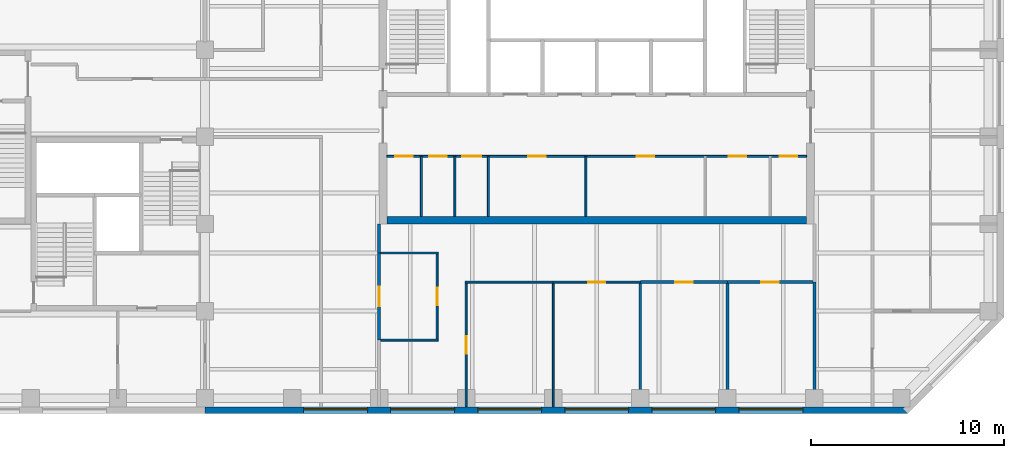
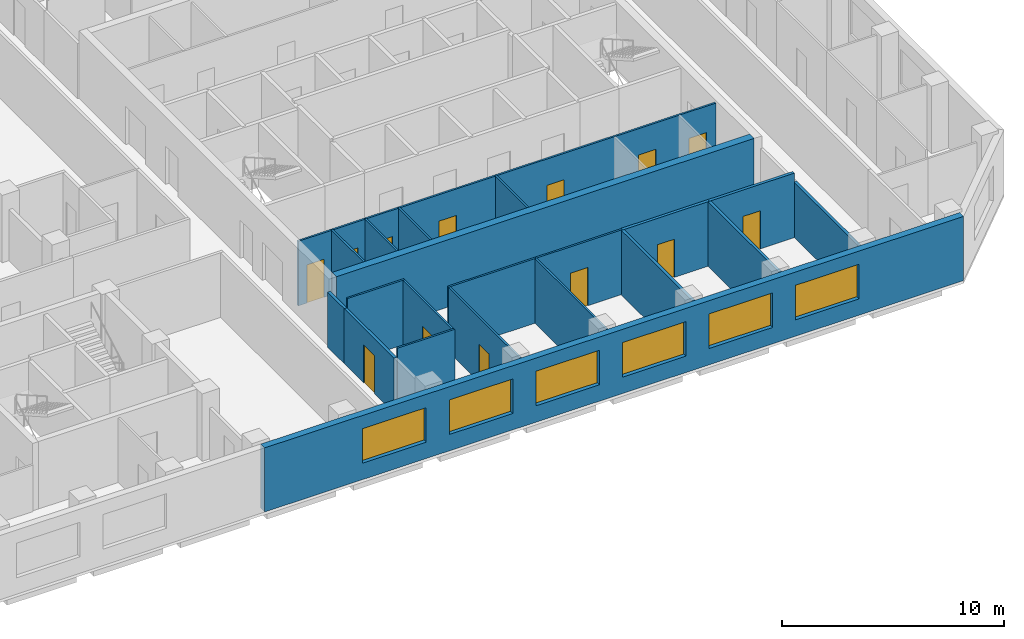
# One storey, part 4 of 9: 21 walls, 13 doors, 6 windows, 19 openings.
"""IFC4 building model written with IfcOpenShell, lengths in metres."""

from ifc_helpers import new_model, si_unit, direction, frame, frame_2d, origin, place, context, subcontext, project, spatial, rectangle, extrude, material, layer, layer_set, constituent, constituent_set, type_object, element, fill, save


model = new_model("IFC4")

# Units and contexts
model_context = context("Model", 3, precision=1e-05, world=origin(), true_north=direction((0.0, 1.0)))
body_context = subcontext(model_context, "Body", "Model", "MODEL_VIEW")
ifc_project = project(units=[si_unit("LENGTHUNIT", "METRE"), si_unit("AREAUNIT", "SQUARE_METRE"), si_unit("VOLUMEUNIT", "CUBIC_METRE"), si_unit("PLANEANGLEUNIT", "RADIAN"), si_unit("MASSUNIT", "GRAM", prefix="KILO")], contexts=[model_context])

# Site, building, storey
site_placement = place(None, origin())
site = spatial("IfcSite", under=ifc_project, at=site_placement, CompositionType="ELEMENT")
building_placement = place(site_placement, origin())
building = spatial("IfcBuilding", under=site, at=building_placement, Name="Quoin Convention Tower", CompositionType="ELEMENT")
storey_placement = place(building_placement, frame((0.0, 0.0, 147.699951171875)))
storey = spatial("IfcBuildingStorey", under=building, at=storey_placement, Name="L38", CompositionType="ELEMENT", Elevation=147.699951171875)

# Wall, opening, door
ifc_material_1 = material(Name="Plasterboard")
ifc_layer_1 = layer(ifc_material_1, 0.012451171875, Name="Finish")
ifc_material_2 = material(Name="Steel stud framing", Category="steel")
ifc_layer_2 = layer(ifc_material_2, 0.125, Name="Structure")
ifc_layer_3 = layer(ifc_material_1, 0.012451171875, Name="Finish")
ifc_layer_set_1 = layer_set([ifc_layer_1, ifc_layer_2, ifc_layer_3], Name="Steel stud framing")
wall_type_1 = type_object("IfcWallType", Name="Acoustic partition 150", PredefinedType="PARTITIONING", material=ifc_layer_set_1)
wall_1_placement = place(storey_placement, frame((58.5, 46.5, 0.0), z_axis=(0.0, 0.0, 1.0), x_axis=(1.0, 0.0, 0.0)))
wall_1 = element("IfcWall", 1, at=wall_1_placement, inside=storey, type_object=wall_type_1, Name="pw-L38-009", PredefinedType="PARTITIONING", context=body_context, shape_type="SweptSolid", body=[
    extrude(rectangle(XDim=4.5, YDim=0.14990234375, at=frame_2d((2.25, 0.0))), origin(), (0.0, 0.0, 1.0), 3.550048828125),
])
opening_1_placement = place(wall_1_placement, frame((1.800048828125, 0.0, 0.0)))
opening_1 = element("IfcOpeningElement", 2, at=opening_1_placement, cuts=wall_1, Name="Opening DOH1-03", PredefinedType="OPENING", context=body_context, shape_type="SweptSolid", body=[
    extrude(rectangle(XDim=0.89990234375, YDim=2.10009765625, at=frame_2d((0.449951171875, 1.050048828125))), frame((0.0, 0.0849609375, 0.0), z_axis=(0.0, -1.0, 0.0), x_axis=(1.0, 0.0, 0.0)), (0.0, 0.0, 1.0), 0.169921875),
])
ifc_material_3 = material(Name="Steel door leaf", Category="steel")
door_type_1 = type_object("IfcDoorType", Name="Office door 900 x 2100", OperationType="SINGLE_SWING_RIGHT", PredefinedType="DOOR", material=ifc_material_3)
door_1_placement = place(opening_1_placement, origin())
door_1 = element("IfcDoor", 3, at=door_1_placement, inside=storey, type_object=door_type_1, Name="dr-L38-20", OperationType="SINGLE_SWING_RIGHT", OverallHeight=2.10009765625, OverallWidth=0.89990234375, PredefinedType="DOOR", context=body_context, shape_type="SweptSolid", body=[
    extrude(rectangle(XDim=0.89990234375, YDim=2.10009765625, at=frame_2d((0.449951171875, 1.050048828125))), frame((0.0, 0.02490234375, 0.0), z_axis=(0.0, -1.0, 0.0), x_axis=(1.0, 0.0, 0.0)), (0.0, 0.0, 1.0), 0.050048828125),
])
fill(opening_1, door_1)

wall_2_placement = place(storey_placement, frame((63.0, 46.5, 0.0), z_axis=(0.0, 0.0, 1.0), x_axis=(1.0, 0.0, 0.0)))
wall_2 = element("IfcWall", 4, at=wall_2_placement, inside=storey, type_object=wall_type_1, Name="pw-L38-010", PredefinedType="PARTITIONING", context=body_context, shape_type="SweptSolid", body=[
    extrude(rectangle(XDim=4.425048828125, YDim=0.14990234375, at=frame_2d((2.21240234375, 0.0))), origin(), (0.0, 0.0, 1.0), 3.550048828125),
])
opening_2_placement = place(wall_2_placement, frame((1.75, 0.0, 0.0)))
opening_2 = element("IfcOpeningElement", 5, at=opening_2_placement, cuts=wall_2, Name="Opening DOH1-04", PredefinedType="OPENING", context=body_context, shape_type="SweptSolid", body=[
    extrude(rectangle(XDim=0.89990234375, YDim=2.10009765625, at=frame_2d((0.449951171875, 1.050048828125))), frame((0.0, 0.0849609375, 0.0), z_axis=(0.0, -1.0, 0.0), x_axis=(1.0, 0.0, 0.0)), (0.0, 0.0, 1.0), 0.169921875),
])
door_2_placement = place(opening_2_placement, origin())
door_2 = element("IfcDoor", 6, at=door_2_placement, inside=storey, type_object=door_type_1, Name="dr-L38-21", OperationType="SINGLE_SWING_RIGHT", OverallHeight=2.10009765625, OverallWidth=0.89990234375, PredefinedType="DOOR", context=body_context, shape_type="SweptSolid", body=[
    extrude(rectangle(XDim=0.89990234375, YDim=2.10009765625, at=frame_2d((0.449951171875, 1.050048828125))), frame((0.0, 0.02490234375, 0.0), z_axis=(0.0, -1.0, 0.0), x_axis=(1.0, 0.0, 0.0)), (0.0, 0.0, 1.0), 0.050048828125),
])
fill(opening_2, door_2)

# Walls
for number, where, z_axis, x_axis, name in (
    (7, (58.5, 40.050048828125, 0.0), (0.0, 0.0, 1.0), (0.0, 1.0, 0.0), "pw-L38-044"),
    (8, (63.0, 40.050048828125, 0.0), (0.0, 0.0, 1.0), (0.0, 1.0, 0.0), "pw-L38-045"),
):
    element("IfcWall", number, at=place(storey_placement, frame(where, z_axis=z_axis, x_axis=x_axis)), inside=storey, type_object=wall_type_1, Name=name, PredefinedType="PARTITIONING", context=body_context, shape_type="SweptSolid", body=[
        extrude(rectangle(XDim=6.375, YDim=0.14990234375, at=frame_2d((3.1875, 0.0))), origin(), (0.0, 0.0, 1.0), 3.550048828125),
    ])

# Wall, openings, windows
ifc_material_4 = material(Name="Brick masonry", Category="masonry")
ifc_layer_4 = layer(ifc_material_4, 0.35009765625)
ifc_layer_set_2 = layer_set([ifc_layer_4], Name="Brick masonry")
wall_type_2 = type_object("IfcWallType", Name="Brick facade wall", PredefinedType="STANDARD", material=ifc_layer_set_2)
wall_3_placement = place(storey_placement, frame((36.0, 39.875, 0.0), z_axis=(0.0, 0.0, 1.0), x_axis=(1.0, 0.0, 0.0)))
wall_3 = element("IfcWall", 9, at=wall_3_placement, inside=storey, type_object=wall_type_2, Name="fw-L38-36000_40500", PredefinedType="STANDARD", context=body_context, shape_type="SweptSolid", body=[
    extrude(rectangle(XDim=36.331298828125, YDim=0.35009765625, at=frame_2d((18.16552734375, 0.0))), origin(), (0.0, 0.0, 1.0), 3.525146484375),
])
opening_3_placement = place(wall_3_placement, frame((5.10009765625, 0.0, 0.89990234375)))
opening_3 = element("IfcOpeningElement", 10, at=opening_3_placement, cuts=wall_3, Name="Opening W-02", PredefinedType="OPENING", context=body_context, shape_type="SweptSolid", body=[
    extrude(rectangle(XDim=3.300048828125, YDim=1.89990234375, at=frame_2d((1.64990234375, 0.949951171875))), frame((0.0, 0.18505859375, 0.0), z_axis=(0.0, -1.0, 0.0), x_axis=(1.0, 0.0, 0.0)), (0.0, 0.0, 1.0), 0.3701171875),
])
opening_4_placement = place(wall_3_placement, frame((9.60009765625, 0.0, 0.89990234375)))
opening_4 = element("IfcOpeningElement", 11, at=opening_4_placement, cuts=wall_3, Name="Opening W-02", PredefinedType="OPENING", context=body_context, shape_type="SweptSolid", body=[
    extrude(rectangle(XDim=3.300048828125, YDim=1.89990234375, at=frame_2d((1.64990234375, 0.949951171875))), frame((0.0, 0.18505859375, 0.0), z_axis=(0.0, -1.0, 0.0), x_axis=(1.0, 0.0, 0.0)), (0.0, 0.0, 1.0), 0.3701171875),
])
opening_5_placement = place(wall_3_placement, frame((14.10009765625, 0.0, 0.89990234375)))
opening_5 = element("IfcOpeningElement", 12, at=opening_5_placement, cuts=wall_3, Name="Opening W-02", PredefinedType="OPENING", context=body_context, shape_type="SweptSolid", body=[
    extrude(rectangle(XDim=3.300048828125, YDim=1.89990234375, at=frame_2d((1.64990234375, 0.949951171875))), frame((0.0, 0.18505859375, 0.0), z_axis=(0.0, -1.0, 0.0), x_axis=(1.0, 0.0, 0.0)), (0.0, 0.0, 1.0), 0.3701171875),
])
opening_6_placement = place(wall_3_placement, frame((18.60009765625, 0.0, 0.89990234375)))
opening_6 = element("IfcOpeningElement", 13, at=opening_6_placement, cuts=wall_3, Name="Opening W-02", PredefinedType="OPENING", context=body_context, shape_type="SweptSolid", body=[
    extrude(rectangle(XDim=3.300048828125, YDim=1.89990234375, at=frame_2d((1.64990234375, 0.949951171875))), frame((0.0, 0.18505859375, 0.0), z_axis=(0.0, -1.0, 0.0), x_axis=(1.0, 0.0, 0.0)), (0.0, 0.0, 1.0), 0.3701171875),
])
opening_7_placement = place(wall_3_placement, frame((23.10009765625, 0.0, 0.89990234375)))
opening_7 = element("IfcOpeningElement", 14, at=opening_7_placement, cuts=wall_3, Name="Opening W-02", PredefinedType="OPENING", context=body_context, shape_type="SweptSolid", body=[
    extrude(rectangle(XDim=3.300048828125, YDim=1.89990234375, at=frame_2d((1.64990234375, 0.949951171875))), frame((0.0, 0.18505859375, 0.0), z_axis=(0.0, -1.0, 0.0), x_axis=(1.0, 0.0, 0.0)), (0.0, 0.0, 1.0), 0.3701171875),
])
opening_8_placement = place(wall_3_placement, frame((27.60009765625, 0.0, 0.89990234375)))
opening_8 = element("IfcOpeningElement", 15, at=opening_8_placement, cuts=wall_3, Name="Opening W-02", PredefinedType="OPENING", context=body_context, shape_type="SweptSolid", body=[
    extrude(rectangle(XDim=3.300048828125, YDim=1.89990234375, at=frame_2d((1.64990234375, 0.949951171875))), frame((0.0, 0.18505859375, 0.0), z_axis=(0.0, -1.0, 0.0), x_axis=(1.0, 0.0, 0.0)), (0.0, 0.0, 1.0), 0.3701171875),
])
ifc_material_5 = material(Name="Aluminium", Category="aluminium")
ifc_constituent_1 = constituent(ifc_material_5, Name="Frame")
ifc_material_6 = material(Name="Insulated glass", Category="glass")
ifc_constituent_2 = constituent(ifc_material_6, Name="Glazing")
ifc_constituent_set = constituent_set(constituents=[ifc_constituent_1, ifc_constituent_2], Name="Aluminium")
window_type = type_object("IfcWindowType", Name="Office window", PartitioningType="DOUBLE_PANEL_VERTICAL", PredefinedType="WINDOW", material=ifc_constituent_set)
window_1_placement = place(opening_3_placement, origin())
window_1 = element("IfcWindow", 16, at=window_1_placement, inside=storey, type_object=window_type, Name="win-L38-42750_39875", OverallHeight=1.89990234375, OverallWidth=3.300048828125, PartitioningType="SINGLE_PANEL", PredefinedType="WINDOW", context=body_context, shape_type="SweptSolid", body=[
    extrude(rectangle(XDim=3.300048828125, YDim=1.89990234375, at=frame_2d((1.64990234375, 0.949951171875))), frame((0.0, 0.0849609375, 0.0), z_axis=(0.0, -1.0, 0.0), x_axis=(1.0, 0.0, 0.0)), (0.0, 0.0, 1.0), 0.06005859375),
])
fill(opening_3, window_1)
window_2_placement = place(opening_4_placement, origin())
window_2 = element("IfcWindow", 17, at=window_2_placement, inside=storey, type_object=window_type, Name="win-L38-47250_39875", OverallHeight=1.89990234375, OverallWidth=3.300048828125, PartitioningType="SINGLE_PANEL", PredefinedType="WINDOW", context=body_context, shape_type="SweptSolid", body=[
    extrude(rectangle(XDim=3.300048828125, YDim=1.89990234375, at=frame_2d((1.64990234375, 0.949951171875))), frame((0.0, 0.0849609375, 0.0), z_axis=(0.0, -1.0, 0.0), x_axis=(1.0, 0.0, 0.0)), (0.0, 0.0, 1.0), 0.06005859375),
])
fill(opening_4, window_2)
window_3_placement = place(opening_5_placement, origin())
window_3 = element("IfcWindow", 18, at=window_3_placement, inside=storey, type_object=window_type, Name="win-L38-51750_39875", OverallHeight=1.89990234375, OverallWidth=3.300048828125, PartitioningType="SINGLE_PANEL", PredefinedType="WINDOW", context=body_context, shape_type="SweptSolid", body=[
    extrude(rectangle(XDim=3.300048828125, YDim=1.89990234375, at=frame_2d((1.64990234375, 0.949951171875))), frame((0.0, 0.0849609375, 0.0), z_axis=(0.0, -1.0, 0.0), x_axis=(1.0, 0.0, 0.0)), (0.0, 0.0, 1.0), 0.06005859375),
])
fill(opening_5, window_3)
window_4_placement = place(opening_6_placement, origin())
window_4 = element("IfcWindow", 19, at=window_4_placement, inside=storey, type_object=window_type, Name="win-L38-56250_39875", OverallHeight=1.89990234375, OverallWidth=3.300048828125, PartitioningType="SINGLE_PANEL", PredefinedType="WINDOW", context=body_context, shape_type="SweptSolid", body=[
    extrude(rectangle(XDim=3.300048828125, YDim=1.89990234375, at=frame_2d((1.64990234375, 0.949951171875))), frame((0.0, 0.0849609375, 0.0), z_axis=(0.0, -1.0, 0.0), x_axis=(1.0, 0.0, 0.0)), (0.0, 0.0, 1.0), 0.06005859375),
])
fill(opening_6, window_4)
window_5_placement = place(opening_7_placement, origin())
window_5 = element("IfcWindow", 20, at=window_5_placement, inside=storey, type_object=window_type, Name="win-L38-60750_39875", OverallHeight=1.89990234375, OverallWidth=3.300048828125, PartitioningType="SINGLE_PANEL", PredefinedType="WINDOW", context=body_context, shape_type="SweptSolid", body=[
    extrude(rectangle(XDim=3.300048828125, YDim=1.89990234375, at=frame_2d((1.64990234375, 0.949951171875))), frame((0.0, 0.0849609375, 0.0), z_axis=(0.0, -1.0, 0.0), x_axis=(1.0, 0.0, 0.0)), (0.0, 0.0, 1.0), 0.06005859375),
])
fill(opening_7, window_5)
window_6_placement = place(opening_8_placement, origin())
window_6 = element("IfcWindow", 21, at=window_6_placement, inside=storey, type_object=window_type, Name="win-L38-65250_39875", OverallHeight=1.89990234375, OverallWidth=3.300048828125, PartitioningType="SINGLE_PANEL", PredefinedType="WINDOW", context=body_context, shape_type="SweptSolid", body=[
    extrude(rectangle(XDim=3.300048828125, YDim=1.89990234375, at=frame_2d((1.64990234375, 0.949951171875))), frame((0.0, 0.0849609375, 0.0), z_axis=(0.0, -1.0, 0.0), x_axis=(1.0, 0.0, 0.0)), (0.0, 0.0, 1.0), 0.06005859375),
])
fill(opening_8, window_6)

# Wall, openings, doors
ifc_layer_5 = layer(ifc_material_1, 0.012451171875, Name="Finish")
ifc_layer_6 = layer(ifc_material_2, 0.074951171875, Name="Structure")
ifc_layer_7 = layer(ifc_material_1, 0.012451171875, Name="Finish")
ifc_layer_set_3 = layer_set([ifc_layer_5, ifc_layer_6, ifc_layer_7], Name="Steel stud framing")
wall_type_3 = type_object("IfcWallType", Name="Core partition wall", PredefinedType="PARTITIONING", material=ifc_layer_set_3)
wall_4_placement = place(storey_placement, frame((45.39990234375, 53.0, 0.0), z_axis=(0.0, 0.0, 1.0), x_axis=(1.0, 0.0, 0.0)))
wall_4 = element("IfcWall", 22, at=wall_4_placement, inside=storey, type_object=wall_type_3, Name="cr-C1-L38-h3500_400", PredefinedType="PARTITIONING", context=body_context, shape_type="SweptSolid", body=[
    extrude(rectangle(XDim=21.7001953125, YDim=0.10009765625, at=frame_2d((10.85009765625, 0.0))), origin(), (0.0, 0.0, 1.0), 3.550048828125),
])
opening_9_placement = place(wall_4_placement, frame((20.304931640625, 0.0, 0.0)))
opening_9 = element("IfcOpeningElement", 23, at=opening_9_placement, cuts=wall_4, Name="Opening DCV1-36", PredefinedType="OPENING", context=body_context, shape_type="SweptSolid", body=[
    extrude(rectangle(XDim=0.89990234375, YDim=2.10009765625, at=frame_2d((0.449951171875, 1.050048828125))), frame((0.0, 0.06005859375, 0.0), z_axis=(0.0, -1.0, 0.0), x_axis=(1.0, 0.0, 0.0)), (0.0, 0.0, 1.0), 0.1201171875),
])
opening_10_placement = place(wall_4_placement, frame((17.679931640625, 0.0, 0.0)))
opening_10 = element("IfcOpeningElement", 24, at=opening_10_placement, cuts=wall_4, Name="Opening DCV1-35", PredefinedType="OPENING", context=body_context, shape_type="SweptSolid", body=[
    extrude(rectangle(XDim=0.89990234375, YDim=2.10009765625, at=frame_2d((0.449951171875, 1.050048828125))), frame((0.0, 0.06005859375, 0.0), z_axis=(0.0, -1.0, 0.0), x_axis=(1.0, 0.0, 0.0)), (0.0, 0.0, 1.0), 0.1201171875),
])
opening_11_placement = place(wall_4_placement, frame((0.4423828125, 0.0, 0.0)))
opening_11 = element("IfcOpeningElement", 25, at=opening_11_placement, cuts=wall_4, Name="Opening DCV1-27", PredefinedType="OPENING", context=body_context, shape_type="SweptSolid", body=[
    extrude(rectangle(XDim=0.89990234375, YDim=2.10009765625, at=frame_2d((0.449951171875, 1.050048828125))), frame((0.0, 0.06005859375, 0.0), z_axis=(0.0, -1.0, 0.0), x_axis=(1.0, 0.0, 0.0)), (0.0, 0.0, 1.0), 0.1201171875),
])
opening_12_placement = place(wall_4_placement, frame((2.201416015625, 0.0, 0.0)))
opening_12 = element("IfcOpeningElement", 26, at=opening_12_placement, cuts=wall_4, Name="Opening DCV1-28", PredefinedType="OPENING", context=body_context, shape_type="SweptSolid", body=[
    extrude(rectangle(XDim=0.89990234375, YDim=2.10009765625, at=frame_2d((0.449951171875, 1.050048828125))), frame((0.0, 0.06005859375, 0.0), z_axis=(0.0, -1.0, 0.0), x_axis=(1.0, 0.0, 0.0)), (0.0, 0.0, 1.0), 0.1201171875),
])
opening_13_placement = place(wall_4_placement, frame((3.8837890625, 0.0, 0.0)))
opening_13 = element("IfcOpeningElement", 27, at=opening_13_placement, cuts=wall_4, Name="Opening DCV1-29", PredefinedType="OPENING", context=body_context, shape_type="SweptSolid", body=[
    extrude(rectangle(XDim=1.0, YDim=2.10009765625, at=frame_2d((0.5, 1.050048828125))), frame((0.0, 0.06005859375, 0.0), z_axis=(0.0, -1.0, 0.0), x_axis=(1.0, 0.0, 0.0)), (0.0, 0.0, 1.0), 0.1201171875),
])
opening_14_placement = place(wall_4_placement, frame((7.320068359375, 0.0, 0.0)))
opening_14 = element("IfcOpeningElement", 28, at=opening_14_placement, cuts=wall_4, Name="Opening DCV1-31", PredefinedType="OPENING", context=body_context, shape_type="SweptSolid", body=[
    extrude(rectangle(XDim=0.89990234375, YDim=2.10009765625, at=frame_2d((0.449951171875, 1.050048828125))), frame((0.0, 0.06005859375, 0.0), z_axis=(0.0, -1.0, 0.0), x_axis=(1.0, 0.0, 0.0)), (0.0, 0.0, 1.0), 0.1201171875),
])
opening_15_placement = place(wall_4_placement, frame((12.919921875, 0.0, 0.0)))
opening_15 = element("IfcOpeningElement", 29, at=opening_15_placement, cuts=wall_4, Name="Opening DCV1-33", PredefinedType="OPENING", context=body_context, shape_type="SweptSolid", body=[
    extrude(rectangle(XDim=0.89990234375, YDim=2.10009765625, at=frame_2d((0.449951171875, 1.050048828125))), frame((0.0, 0.06005859375, 0.0), z_axis=(0.0, -1.0, 0.0), x_axis=(1.0, 0.0, 0.0)), (0.0, 0.0, 1.0), 0.1201171875),
])
door_type_2 = type_object("IfcDoorType", Name="Core room door 1000 x 2100", OperationType="SINGLE_SWING_LEFT", PredefinedType="DOOR", material=ifc_material_3)
door_3_placement = place(opening_13_placement, frame((1.0, 0.0, 0.0), z_axis=(0.0, 0.0, 1.0), x_axis=(-1.0, 0.0, 0.0)))
door_3 = element("IfcDoor", 30, at=door_3_placement, inside=storey, type_object=door_type_2, Name="cd-C1-L38-CSW2-lobA-CD3814", OperationType="SINGLE_SWING_LEFT", OverallHeight=2.10009765625, OverallWidth=1.0, PredefinedType="DOOR", context=body_context, shape_type="SweptSolid", body=[
    extrude(rectangle(XDim=1.0, YDim=2.10009765625, at=frame_2d((0.5, 1.050048828125))), frame((0.0, 0.02490234375, 0.0), z_axis=(0.0, -1.0, 0.0), x_axis=(1.0, 0.0, 0.0)), (0.0, 0.0, 1.0), 0.050048828125),
])
fill(opening_13, door_3)
door_type_3 = type_object("IfcDoorType", Name="Core room door 900 x 2100", OperationType="SINGLE_SWING_LEFT", PredefinedType="DOOR", material=ifc_material_3)
door_4_placement = place(opening_9_placement, frame((0.89990234375, 0.0, 0.0), z_axis=(0.0, 0.0, 1.0), x_axis=(-1.0, 0.0, 0.0)))
door_4 = element("IfcDoor", 31, at=door_4_placement, inside=storey, type_object=door_type_3, Name="cd-C1-L38-CSE0-lobA-CD3810", OperationType="SINGLE_SWING_LEFT", OverallHeight=2.10009765625, OverallWidth=0.89990234375, PredefinedType="DOOR", context=body_context, shape_type="SweptSolid", body=[
    extrude(rectangle(XDim=0.89990234375, YDim=2.10009765625, at=frame_2d((0.449951171875, 1.050048828125))), frame((0.0, 0.02490234375, 0.0), z_axis=(0.0, -1.0, 0.0), x_axis=(1.0, 0.0, 0.0)), (0.0, 0.0, 1.0), 0.050048828125),
])
fill(opening_9, door_4)
door_5_placement = place(opening_10_placement, frame((0.89990234375, 0.0, 0.0), z_axis=(0.0, 0.0, 1.0), x_axis=(-1.0, 0.0, 0.0)))
door_5 = element("IfcDoor", 32, at=door_5_placement, inside=storey, type_object=door_type_3, Name="cd-C1-L38-CSE1-lobA-CD3811", OperationType="SINGLE_SWING_LEFT", OverallHeight=2.10009765625, OverallWidth=0.89990234375, PredefinedType="DOOR", context=body_context, shape_type="SweptSolid", body=[
    extrude(rectangle(XDim=0.89990234375, YDim=2.10009765625, at=frame_2d((0.449951171875, 1.050048828125))), frame((0.0, 0.02490234375, 0.0), z_axis=(0.0, -1.0, 0.0), x_axis=(1.0, 0.0, 0.0)), (0.0, 0.0, 1.0), 0.050048828125),
])
fill(opening_10, door_5)
door_6_placement = place(opening_11_placement, frame((0.89990234375, 0.0, 0.0), z_axis=(0.0, 0.0, 1.0), x_axis=(-1.0, 0.0, 0.0)))
door_6 = element("IfcDoor", 33, at=door_6_placement, inside=storey, type_object=door_type_3, Name="cd-C1-L38-CSW0-lobA-CD3812", OperationType="SINGLE_SWING_LEFT", OverallHeight=2.10009765625, OverallWidth=0.89990234375, PredefinedType="DOOR", context=body_context, shape_type="SweptSolid", body=[
    extrude(rectangle(XDim=0.89990234375, YDim=2.10009765625, at=frame_2d((0.449951171875, 1.050048828125))), frame((0.0, 0.02490234375, 0.0), z_axis=(0.0, -1.0, 0.0), x_axis=(1.0, 0.0, 0.0)), (0.0, 0.0, 1.0), 0.050048828125),
])
fill(opening_11, door_6)
door_7_placement = place(opening_12_placement, frame((0.89990234375, 0.0, 0.0), z_axis=(0.0, 0.0, 1.0), x_axis=(-1.0, 0.0, 0.0)))
door_7 = element("IfcDoor", 34, at=door_7_placement, inside=storey, type_object=door_type_3, Name="cd-C1-L38-CSW1-lobA-CD3813", OperationType="SINGLE_SWING_LEFT", OverallHeight=2.10009765625, OverallWidth=0.89990234375, PredefinedType="DOOR", context=body_context, shape_type="SweptSolid", body=[
    extrude(rectangle(XDim=0.89990234375, YDim=2.10009765625, at=frame_2d((0.449951171875, 1.050048828125))), frame((0.0, 0.02490234375, 0.0), z_axis=(0.0, -1.0, 0.0), x_axis=(1.0, 0.0, 0.0)), (0.0, 0.0, 1.0), 0.050048828125),
])
fill(opening_12, door_7)
door_8_placement = place(opening_14_placement, frame((0.89990234375, 0.0, 0.0), z_axis=(0.0, 0.0, 1.0), x_axis=(-1.0, 0.0, 0.0)))
door_8 = element("IfcDoor", 35, at=door_8_placement, inside=storey, type_object=door_type_3, Name="cd-C1-L38-F10-lobA-CD3815", OperationType="SINGLE_SWING_LEFT", OverallHeight=2.10009765625, OverallWidth=0.89990234375, PredefinedType="DOOR", context=body_context, shape_type="SweptSolid", body=[
    extrude(rectangle(XDim=0.89990234375, YDim=2.10009765625, at=frame_2d((0.449951171875, 1.050048828125))), frame((0.0, 0.02490234375, 0.0), z_axis=(0.0, -1.0, 0.0), x_axis=(1.0, 0.0, 0.0)), (0.0, 0.0, 1.0), 0.050048828125),
])
fill(opening_14, door_8)
door_9_placement = place(opening_15_placement, frame((0.89990234375, 0.0, 0.0), z_axis=(0.0, 0.0, 1.0), x_axis=(-1.0, 0.0, 0.0)))
door_9 = element("IfcDoor", 36, at=door_9_placement, inside=storey, type_object=door_type_3, Name="cd-C1-L38-F11-lobA-CD3816", OperationType="SINGLE_SWING_LEFT", OverallHeight=2.10009765625, OverallWidth=0.89990234375, PredefinedType="DOOR", context=body_context, shape_type="SweptSolid", body=[
    extrude(rectangle(XDim=0.89990234375, YDim=2.10009765625, at=frame_2d((0.449951171875, 1.050048828125))), frame((0.0, 0.02490234375, 0.0), z_axis=(0.0, -1.0, 0.0), x_axis=(1.0, 0.0, 0.0)), (0.0, 0.0, 1.0), 0.050048828125),
])
fill(opening_15, door_9)

# Walls
for number, where, z_axis, x_axis, name in (
    (37, (47.18505859375, 49.89990234375, 0.0), (0.0, 0.0, 1.0), (0.0, 1.0, 0.0), "cr-C1-L38-v2185_400"),
    (38, (48.91748046875, 49.89990234375, 0.0), (0.0, 0.0, 1.0), (0.0, 1.0, 0.0), "cr-C1-L38-v3918_400"),
    (39, (50.64990234375, 49.89990234375, 0.0), (0.0, 0.0, 1.0), (0.0, 1.0, 0.0), "cr-C1-L38-v5650_400"),
    (40, (55.68994140625, 49.89990234375, 0.0), (0.0, 0.0, 1.0), (0.0, 1.0, 0.0), "cr-C1-L38-v10690_400"),
):
    element("IfcWall", number, at=place(storey_placement, frame(where, z_axis=z_axis, x_axis=x_axis)), inside=storey, type_object=wall_type_3, Name=name, PredefinedType="PARTITIONING", context=body_context, shape_type="SweptSolid", body=[
        extrude(rectangle(XDim=3.10009765625, YDim=0.10009765625, at=frame_2d((1.550048828125, 0.0))), origin(), (0.0, 0.0, 1.0), 3.550048828125),
    ])
ifc_layer_8 = layer(ifc_material_1, 0.012451171875, Name="Finish")
ifc_layer_9 = layer(ifc_material_2, 0.125, Name="Structure")
ifc_layer_10 = layer(ifc_material_1, 0.012451171875, Name="Finish")
ifc_layer_set_4 = layer_set([ifc_layer_8, ifc_layer_9, ifc_layer_10], Name="Steel stud framing")
wall_type_4 = type_object("IfcWallType", Name="Corridor wall 150 under beam 528", PredefinedType="PARTITIONING", material=ifc_layer_set_4)
wall_5_placement = place(storey_placement, frame((67.5, 40.050048828125, 0.0), z_axis=(0.0, 0.0, 1.0), x_axis=(0.0, 1.0, 0.0)))
element("IfcWall", 41, at=wall_5_placement, inside=storey, type_object=wall_type_4, Name="pw-L38-046", PredefinedType="PARTITIONING", context=body_context, shape_type="SweptSolid", body=[
    extrude(rectangle(XDim=6.449951171875, YDim=0.14990234375, at=frame_2d((3.22509765625, 0.0))), origin(), (0.0, 0.0, 1.0), 3.02197265625),
])

# Wall, opening, door
wall_6_placement = place(storey_placement, frame((45.0, 43.5, 0.0), z_axis=(0.0, 0.0, 1.0), x_axis=(0.0, 1.0, 0.0)))
wall_6 = element("IfcWall", 42, at=wall_6_placement, inside=storey, type_object=wall_type_4, Name="pw-L38-049", PredefinedType="PARTITIONING", context=body_context, shape_type="SweptSolid", body=[
    extrude(rectangle(XDim=4.5, YDim=0.14990234375, at=frame_2d((2.25, 0.0))), origin(), (0.0, 0.0, 1.0), 3.02197265625),
])
opening_16_placement = place(wall_6_placement, frame((1.75, 0.0, 0.0)))
opening_16 = element("IfcOpeningElement", 43, at=opening_16_placement, cuts=wall_6, Name="Opening DOH1-15", PredefinedType="OPENING", context=body_context, shape_type="SweptSolid", body=[
    extrude(rectangle(XDim=1.0, YDim=2.10009765625, at=frame_2d((0.5, 1.050048828125))), frame((0.0, 0.0849609375, 0.0), z_axis=(0.0, -1.0, 0.0), x_axis=(1.0, 0.0, 0.0)), (0.0, 0.0, 1.0), 0.169921875),
])
door_type_4 = type_object("IfcDoorType", Name="Tenancy entrance door 1000 x 2100", OperationType="DOUBLE_DOOR_SINGLE_SWING", PredefinedType="DOOR", material=ifc_material_3)
door_10_placement = place(opening_16_placement, frame((1.0, 0.0, 0.0), z_axis=(0.0, 0.0, 1.0), x_axis=(-1.0, 0.0, 0.0)))
door_10 = element("IfcDoor", 44, at=door_10_placement, inside=storey, type_object=door_type_4, Name="dr-L38-16", OperationType="DOUBLE_DOOR_SINGLE_SWING", OverallHeight=2.10009765625, OverallWidth=1.0, PredefinedType="DOOR", context=body_context, shape_type="SweptSolid", body=[
    extrude(rectangle(XDim=1.0, YDim=2.10009765625, at=frame_2d((0.5, 1.050048828125))), frame((0.0, 0.02490234375, 0.0), z_axis=(0.0, -1.0, 0.0), x_axis=(1.0, 0.0, 0.0)), (0.0, 0.0, 1.0), 0.050048828125),
])
fill(opening_16, door_10)

# Walls
wall_7_placement = place(storey_placement, frame((45.0, 48.0, 0.0), z_axis=(0.0, 0.0, 1.0), x_axis=(0.0, 1.0, 0.0)))
element("IfcWall", 45, at=wall_7_placement, inside=storey, type_object=wall_type_4, Name="pw-L38-058", PredefinedType="PARTITIONING", context=body_context, shape_type="SweptSolid", body=[
    extrude(rectangle(XDim=1.5, YDim=0.14990234375, at=frame_2d((0.75, 0.0))), origin(), (0.0, 0.0, 1.0), 3.02197265625),
])
ifc_material_7 = material(Name="Concrete C50", Category="concrete")
ifc_layer_11 = layer(ifc_material_7, 0.39990234375)
ifc_layer_set_5 = layer_set([ifc_layer_11], Name="Concrete C50")
wall_type_5 = type_object("IfcWallType", Name="RC CORE WALL 400 C50", PredefinedType="SHEAR", material=ifc_layer_set_5)
wall_8_placement = place(storey_placement, frame((45.39990234375, 49.699951171875, 0.0), z_axis=(0.0, 0.0, 1.0), x_axis=(1.0, 0.0, 0.0)))
element("IfcWall", 46, at=wall_8_placement, inside=storey, type_object=wall_type_5, Name="cwl-C1-L38-S", PredefinedType="SHEAR", context=body_context, shape_type="SweptSolid", body=[
    extrude(rectangle(XDim=21.7001953125, YDim=0.39990234375, at=frame_2d((10.85009765625, 0.0))), origin(), (0.0, 0.0, 1.0), 3.699951171875),
])
ifc_layer_12 = layer(ifc_material_1, 0.012451171875, Name="Finish")
ifc_layer_13 = layer(ifc_material_2, 0.074951171875, Name="Structure")
ifc_layer_14 = layer(ifc_material_1, 0.012451171875, Name="Finish")
ifc_layer_set_6 = layer_set([ifc_layer_12, ifc_layer_13, ifc_layer_14], Name="Steel stud framing")
wall_type_6 = type_object("IfcWallType", Name="Stud partition 100", PredefinedType="PARTITIONING", material=ifc_layer_set_6)
wall_9_placement = place(storey_placement, frame((45.074951171875, 43.5, 0.0), z_axis=(0.0, 0.0, 1.0), x_axis=(1.0, 0.0, 0.0)))
element("IfcWall", 47, at=wall_9_placement, inside=storey, type_object=wall_type_6, Name="pw-L38-001", PredefinedType="PARTITIONING", context=body_context, shape_type="SweptSolid", body=[
    extrude(rectangle(XDim=2.97509765625, YDim=0.10009765625, at=frame_2d((1.487548828125, 0.0))), origin(), (0.0, 0.0, 1.0), 3.550048828125),
])
wall_10_placement = place(storey_placement, frame((49.449951171875, 46.5, 0.0), z_axis=(0.0, 0.0, 1.0), x_axis=(1.0, 0.0, 0.0)))
element("IfcWall", 48, at=wall_10_placement, inside=storey, type_object=wall_type_6, Name="pw-L38-007", PredefinedType="PARTITIONING", context=body_context, shape_type="SweptSolid", body=[
    extrude(rectangle(XDim=4.550048828125, YDim=0.10009765625, at=frame_2d((2.27490234375, 0.0))), origin(), (0.0, 0.0, 1.0), 3.550048828125),
])

# Wall, opening, door
wall_11_placement = place(storey_placement, frame((54.0, 46.5, 0.0), z_axis=(0.0, 0.0, 1.0), x_axis=(1.0, 0.0, 0.0)))
wall_11 = element("IfcWall", 49, at=wall_11_placement, inside=storey, type_object=wall_type_6, Name="pw-L38-008", PredefinedType="PARTITIONING", context=body_context, shape_type="SweptSolid", body=[
    extrude(rectangle(XDim=4.5, YDim=0.10009765625, at=frame_2d((2.25, 0.0))), origin(), (0.0, 0.0, 1.0), 3.550048828125),
])
opening_17_placement = place(wall_11_placement, frame((1.800048828125, 0.0, 0.0)))
opening_17 = element("IfcOpeningElement", 50, at=opening_17_placement, cuts=wall_11, Name="Opening DOH1-02", PredefinedType="OPENING", context=body_context, shape_type="SweptSolid", body=[
    extrude(rectangle(XDim=0.89990234375, YDim=2.10009765625, at=frame_2d((0.449951171875, 1.050048828125))), frame((0.0, 0.06005859375, 0.0), z_axis=(0.0, -1.0, 0.0), x_axis=(1.0, 0.0, 0.0)), (0.0, 0.0, 1.0), 0.1201171875),
])
door_11_placement = place(opening_17_placement, origin())
door_11 = element("IfcDoor", 51, at=door_11_placement, inside=storey, type_object=door_type_1, Name="dr-L38-19", OperationType="SINGLE_SWING_RIGHT", OverallHeight=2.10009765625, OverallWidth=0.89990234375, PredefinedType="DOOR", context=body_context, shape_type="SweptSolid", body=[
    extrude(rectangle(XDim=0.89990234375, YDim=2.10009765625, at=frame_2d((0.449951171875, 1.050048828125))), frame((0.0, 0.02490234375, 0.0), z_axis=(0.0, -1.0, 0.0), x_axis=(1.0, 0.0, 0.0)), (0.0, 0.0, 1.0), 0.050048828125),
])
fill(opening_17, door_11)

# Wall
wall_12_placement = place(storey_placement, frame((45.074951171875, 48.0, 0.0), z_axis=(0.0, 0.0, 1.0), x_axis=(1.0, 0.0, 0.0)))
element("IfcWall", 52, at=wall_12_placement, inside=storey, type_object=wall_type_6, Name="pw-L38-011", PredefinedType="PARTITIONING", context=body_context, shape_type="SweptSolid", body=[
    extrude(rectangle(XDim=2.97509765625, YDim=0.10009765625, at=frame_2d((1.487548828125, 0.0))), origin(), (0.0, 0.0, 1.0), 3.550048828125),
])

# Wall, opening, door
wall_13_placement = place(storey_placement, frame((49.5, 40.050048828125, 0.0), z_axis=(0.0, 0.0, 1.0), x_axis=(0.0, 1.0, 0.0)))
wall_13 = element("IfcWall", 53, at=wall_13_placement, inside=storey, type_object=wall_type_6, Name="pw-L38-042", PredefinedType="PARTITIONING", context=body_context, shape_type="SweptSolid", body=[
    extrude(rectangle(XDim=6.39990234375, YDim=0.10009765625, at=frame_2d((3.199951171875, 0.0))), origin(), (0.0, 0.0, 1.0), 3.550048828125),
])
opening_18_placement = place(wall_13_placement, frame((2.75, 0.0, 0.0)))
opening_18 = element("IfcOpeningElement", 54, at=opening_18_placement, cuts=wall_13, Name="Opening DOH1-12", PredefinedType="OPENING", context=body_context, shape_type="SweptSolid", body=[
    extrude(rectangle(XDim=0.89990234375, YDim=2.10009765625, at=frame_2d((0.449951171875, 1.050048828125))), frame((0.0, 0.06005859375, 0.0), z_axis=(0.0, -1.0, 0.0), x_axis=(1.0, 0.0, 0.0)), (0.0, 0.0, 1.0), 0.1201171875),
])
door_12_placement = place(opening_18_placement, origin())
door_12 = element("IfcDoor", 55, at=door_12_placement, inside=storey, type_object=door_type_1, Name="dr-L38-18", OperationType="SINGLE_SWING_RIGHT", OverallHeight=2.10009765625, OverallWidth=0.89990234375, PredefinedType="DOOR", context=body_context, shape_type="SweptSolid", body=[
    extrude(rectangle(XDim=0.89990234375, YDim=2.10009765625, at=frame_2d((0.449951171875, 1.050048828125))), frame((0.0, 0.02490234375, 0.0), z_axis=(0.0, -1.0, 0.0), x_axis=(1.0, 0.0, 0.0)), (0.0, 0.0, 1.0), 0.050048828125),
])
fill(opening_18, door_12)

# Wall
wall_14_placement = place(storey_placement, frame((54.0, 40.050048828125, 0.0), z_axis=(0.0, 0.0, 1.0), x_axis=(0.0, 1.0, 0.0)))
element("IfcWall", 56, at=wall_14_placement, inside=storey, type_object=wall_type_6, Name="pw-L38-043", PredefinedType="PARTITIONING", context=body_context, shape_type="SweptSolid", body=[
    extrude(rectangle(XDim=6.39990234375, YDim=0.10009765625, at=frame_2d((3.199951171875, 0.0))), origin(), (0.0, 0.0, 1.0), 3.550048828125),
])

# Wall, opening, door
wall_15_placement = place(storey_placement, frame((48.0, 43.550048828125, 0.0), z_axis=(0.0, 0.0, 1.0), x_axis=(0.0, 1.0, 0.0)))
wall_15 = element("IfcWall", 57, at=wall_15_placement, inside=storey, type_object=wall_type_6, Name="pw-L38-050", PredefinedType="PARTITIONING", context=body_context, shape_type="SweptSolid", body=[
    extrude(rectangle(XDim=4.39990234375, YDim=0.10009765625, at=frame_2d((2.199951171875, 0.0))), origin(), (0.0, 0.0, 1.0), 3.550048828125),
])
opening_19_placement = place(wall_15_placement, frame((1.75, 0.0, 0.0)))
opening_19 = element("IfcOpeningElement", 58, at=opening_19_placement, cuts=wall_15, Name="Opening DOH1-16", PredefinedType="OPENING", context=body_context, shape_type="SweptSolid", body=[
    extrude(rectangle(XDim=0.89990234375, YDim=2.10009765625, at=frame_2d((0.449951171875, 1.050048828125))), frame((0.0, 0.06005859375, 0.0), z_axis=(0.0, -1.0, 0.0), x_axis=(1.0, 0.0, 0.0)), (0.0, 0.0, 1.0), 0.1201171875),
])
door_13_placement = place(opening_19_placement, frame((0.89990234375, 0.0, 0.0), z_axis=(0.0, 0.0, 1.0), x_axis=(-1.0, 0.0, 0.0)))
door_13 = element("IfcDoor", 59, at=door_13_placement, inside=storey, type_object=door_type_1, Name="dr-L38-17", OperationType="SINGLE_SWING_LEFT", OverallHeight=2.10009765625, OverallWidth=0.89990234375, PredefinedType="DOOR", context=body_context, shape_type="SweptSolid", body=[
    extrude(rectangle(XDim=0.89990234375, YDim=2.10009765625, at=frame_2d((0.449951171875, 1.050048828125))), frame((0.0, 0.02490234375, 0.0), z_axis=(0.0, -1.0, 0.0), x_axis=(1.0, 0.0, 0.0)), (0.0, 0.0, 1.0), 0.050048828125),
])
fill(opening_19, door_13)

save(model, "model.ifc")
